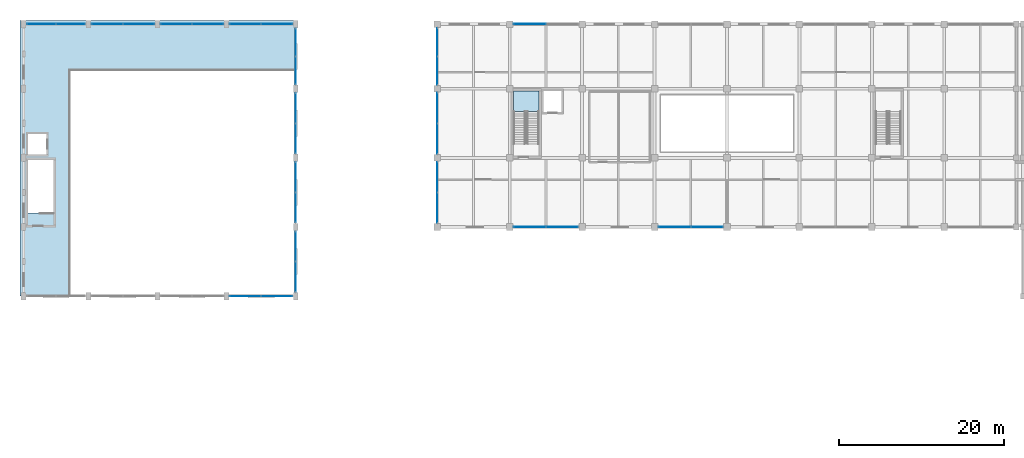
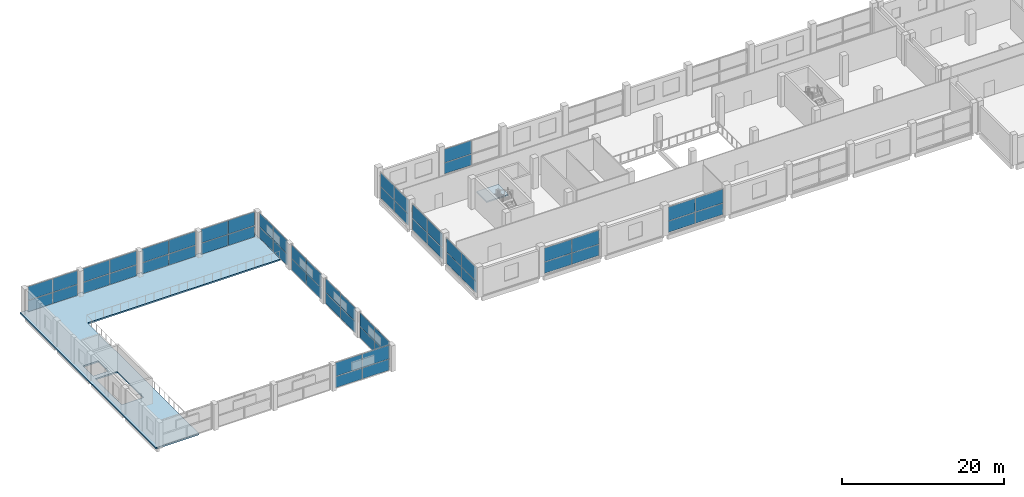
# One storey, part 18 of 31: 58 plates, 2 slabs, 16 elements without a shape of their own.
"""IFC4 building model written with IfcOpenShell, lengths in metres."""

from ifc_helpers import new_model, si_unit, direction, frame, origin, origin_2d, place, context, subcontext, project, spatial, polyline, rectangle, outline, extrude, material, layer, layer_set, type_object, element, aggregate, save


model = new_model("IFC4")

# Units and contexts
model_context = context("Model", 3, precision=1e-05, world=origin(), true_north=direction((0.0, 1.0)))
body_context = subcontext(model_context, "Body", "Model", "MODEL_VIEW")
ifc_project = project(units=[si_unit("LENGTHUNIT", "METRE"), si_unit("AREAUNIT", "SQUARE_METRE"), si_unit("VOLUMEUNIT", "CUBIC_METRE"), si_unit("PLANEANGLEUNIT", "RADIAN"), si_unit("MASSUNIT", "GRAM", prefix="KILO")], contexts=[model_context])

# Site, building, storey
site_placement = place(None, origin())
site = spatial("IfcSite", under=ifc_project, at=site_placement, CompositionType="ELEMENT")
building_placement = place(site_placement, origin())
building = spatial("IfcBuilding", under=site, at=building_placement, Name="Brinegate Botanical Conservatory", CompositionType="ELEMENT")
storey_placement = place(building_placement, frame((0.0, 0.0, 5.39990234375)))
storey = spatial("IfcBuildingStorey", under=building, at=storey_placement, Name="L02", CompositionType="ELEMENT", Elevation=5.39990234375)

# Curtain wall, plates
ifc_material_1 = material(Name="Thermally broken anodised aluminium AW-6063-T6", Category="aluminium")
curtain_wall_type_1 = type_object("IfcCurtainWallType", Name="CW_CW-V3", PredefinedType="USERDEFINED", material=ifc_material_1)
curtain_wall_1_placement = place(storey_placement, origin())
curtain_wall_1 = element("IfcCurtainWall", 1, at=curtain_wall_1_placement, inside=storey, type_object=curtain_wall_type_1, Name="Visitor north factory curtain wall L02.2", ObjectType="FACTORY CURTAIN WALL", PredefinedType="USERDEFINED")
ifc_material_2 = material(Name="Double-silver Low-E laminated safety glass", Category="glass")
ifc_layer_1 = layer(ifc_material_2, 0.028076171875, Name="Double-silver Low-E laminated safety glass", Category="glass")
ifc_layer_set_1 = layer_set([ifc_layer_1], Name="Double-silver Low-E laminated safety glass")
plate_type_1 = type_object("IfcPlateType", Name="Plate_PN-28", PredefinedType="CURTAIN_PANEL", material=ifc_layer_set_1)
plate_1_placement = place(storey_placement, frame((62.0361328125, 111.449951171875, 0.065185546875), z_axis=(0.0, 0.0, 1.0), x_axis=(1.0, 0.0, 0.0)))
plate_1 = element("IfcPlate", 2, at=plate_1_placement, type_object=plate_type_1, Name="CW-V3 panel 1.1", PredefinedType="CURTAIN_PANEL", context=body_context, shape_type="SweptSolid", body=[
    extrude(rectangle(XDim=3.862548828125, YDim=0.028076171875, at=origin_2d()), origin(), (0.0, 0.0, 1.0), 1.62548828125),
])
plate_2_placement = place(storey_placement, frame((62.0361328125, 111.449951171875, 1.75537109375), z_axis=(0.0, 0.0, 1.0), x_axis=(1.0, 0.0, 0.0)))
plate_2 = element("IfcPlate", 3, at=plate_2_placement, type_object=plate_type_1, Name="CW-V3 panel 1.2", PredefinedType="CURTAIN_PANEL", context=body_context, shape_type="SweptSolid", body=[
    extrude(rectangle(XDim=3.862548828125, YDim=0.028076171875, at=origin_2d()), origin(), (0.0, 0.0, 1.0), 2.009521484375),
])
aggregate(curtain_wall_1, [plate_1, plate_2])

curtain_wall_2_placement = place(storey_placement, origin())
curtain_wall_2 = element("IfcCurtainWall", 4, at=curtain_wall_2_placement, inside=storey, type_object=curtain_wall_type_1, Name="Visitor south court curtain wall L02.2", ObjectType="FACTORY CURTAIN WALL", PredefinedType="USERDEFINED")
plate_3_placement = place(storey_placement, frame((65.9638671875, 86.800048828125, 0.065185546875), z_axis=(0.0, 0.0, 1.0), x_axis=(-1.0, 0.0, 0.0)))
plate_3 = element("IfcPlate", 5, at=plate_3_placement, type_object=plate_type_1, Name="CW-V3 panel 1.1", PredefinedType="CURTAIN_PANEL", context=body_context, shape_type="SweptSolid", body=[
    extrude(rectangle(XDim=3.862548828125, YDim=0.028076171875, at=origin_2d()), origin(), (0.0, 0.0, 1.0), 1.67041015625),
])
plate_4_placement = place(storey_placement, frame((65.9638671875, 86.800048828125, 1.800537109375), z_axis=(0.0, 0.0, 1.0), x_axis=(-1.0, 0.0, 0.0)))
plate_4 = element("IfcPlate", 6, at=plate_4_placement, type_object=plate_type_1, Name="CW-V3 panel 1.2", PredefinedType="CURTAIN_PANEL", context=body_context, shape_type="SweptSolid", body=[
    extrude(rectangle(XDim=3.862548828125, YDim=0.028076171875, at=origin_2d()), origin(), (0.0, 0.0, 1.0), 2.064453125),
])
plate_5_placement = place(storey_placement, frame((62.0361328125, 86.800048828125, 0.065185546875), z_axis=(0.0, 0.0, 1.0), x_axis=(-1.0, 0.0, 0.0)))
plate_5 = element("IfcPlate", 7, at=plate_5_placement, type_object=plate_type_1, Name="CW-V3 panel 2.1", PredefinedType="CURTAIN_PANEL", context=body_context, shape_type="SweptSolid", body=[
    extrude(rectangle(XDim=3.862548828125, YDim=0.028076171875, at=origin_2d()), origin(), (0.0, 0.0, 1.0), 1.67041015625),
])
plate_6_placement = place(storey_placement, frame((62.0361328125, 86.800048828125, 1.800537109375), z_axis=(0.0, 0.0, 1.0), x_axis=(-1.0, 0.0, 0.0)))
plate_6 = element("IfcPlate", 8, at=plate_6_placement, type_object=plate_type_1, Name="CW-V3 panel 2.2", PredefinedType="CURTAIN_PANEL", context=body_context, shape_type="SweptSolid", body=[
    extrude(rectangle(XDim=3.862548828125, YDim=0.028076171875, at=origin_2d()), origin(), (0.0, 0.0, 1.0), 2.064453125),
])
aggregate(curtain_wall_2, [plate_3, plate_4, plate_5, plate_6])

curtain_wall_3_placement = place(storey_placement, origin())
curtain_wall_3 = element("IfcCurtainWall", 9, at=curtain_wall_3_placement, inside=storey, type_object=curtain_wall_type_1, Name="Visitor south court curtain wall L02.4", ObjectType="FACTORY CURTAIN WALL", PredefinedType="USERDEFINED")
plate_7_placement = place(storey_placement, frame((83.563720703125, 86.800048828125, 0.065185546875), z_axis=(0.0, 0.0, 1.0), x_axis=(-1.0, 0.0, 0.0)))
plate_7 = element("IfcPlate", 10, at=plate_7_placement, type_object=plate_type_1, Name="CW-V3 panel 1.1", PredefinedType="CURTAIN_PANEL", context=body_context, shape_type="SweptSolid", body=[
    extrude(rectangle(XDim=3.862548828125, YDim=0.028076171875, at=origin_2d()), origin(), (0.0, 0.0, 1.0), 1.67041015625),
])
plate_8_placement = place(storey_placement, frame((83.563720703125, 86.800048828125, 1.800537109375), z_axis=(0.0, 0.0, 1.0), x_axis=(-1.0, 0.0, 0.0)))
plate_8 = element("IfcPlate", 11, at=plate_8_placement, type_object=plate_type_1, Name="CW-V3 panel 1.2", PredefinedType="CURTAIN_PANEL", context=body_context, shape_type="SweptSolid", body=[
    extrude(rectangle(XDim=3.862548828125, YDim=0.028076171875, at=origin_2d()), origin(), (0.0, 0.0, 1.0), 2.064453125),
])
plate_9_placement = place(storey_placement, frame((79.63623046875, 86.800048828125, 0.065185546875), z_axis=(0.0, 0.0, 1.0), x_axis=(-1.0, 0.0, 0.0)))
plate_9 = element("IfcPlate", 12, at=plate_9_placement, type_object=plate_type_1, Name="CW-V3 panel 2.1", PredefinedType="CURTAIN_PANEL", context=body_context, shape_type="SweptSolid", body=[
    extrude(rectangle(XDim=3.862548828125, YDim=0.028076171875, at=origin_2d()), origin(), (0.0, 0.0, 1.0), 1.67041015625),
])
plate_10_placement = place(storey_placement, frame((79.63623046875, 86.800048828125, 1.800537109375), z_axis=(0.0, 0.0, 1.0), x_axis=(-1.0, 0.0, 0.0)))
plate_10 = element("IfcPlate", 13, at=plate_10_placement, type_object=plate_type_1, Name="CW-V3 panel 2.2", PredefinedType="CURTAIN_PANEL", context=body_context, shape_type="SweptSolid", body=[
    extrude(rectangle(XDim=3.862548828125, YDim=0.028076171875, at=origin_2d()), origin(), (0.0, 0.0, 1.0), 2.064453125),
])
aggregate(curtain_wall_3, [plate_7, plate_8, plate_9, plate_10])

curtain_wall_4_placement = place(storey_placement, origin())
curtain_wall_4 = element("IfcCurtainWall", 14, at=curtain_wall_4_placement, inside=storey, type_object=curtain_wall_type_1, Name="Visitor west forecourt curtain wall L02.1", ObjectType="FACTORY CURTAIN WALL", PredefinedType="USERDEFINED")
plate_11_placement = place(storey_placement, frame((50.800048828125, 89.13623046875, 0.065185546875), z_axis=(0.0, 0.0, 1.0), x_axis=(0.0, 1.0, 0.0)))
plate_11 = element("IfcPlate", 15, at=plate_11_placement, type_object=plate_type_1, Name="CW-V3 panel 1.1", PredefinedType="CURTAIN_PANEL", context=body_context, shape_type="SweptSolid", body=[
    extrude(rectangle(XDim=3.66259765625, YDim=0.028076171875, at=origin_2d()), origin(), (0.0, 0.0, 1.0), 1.67041015625),
])
plate_12_placement = place(storey_placement, frame((50.800048828125, 89.13623046875, 1.800537109375), z_axis=(0.0, 0.0, 1.0), x_axis=(0.0, 1.0, 0.0)))
plate_12 = element("IfcPlate", 16, at=plate_12_placement, type_object=plate_type_1, Name="CW-V3 panel 1.2", PredefinedType="CURTAIN_PANEL", context=body_context, shape_type="SweptSolid", body=[
    extrude(rectangle(XDim=3.66259765625, YDim=0.028076171875, at=origin_2d()), origin(), (0.0, 0.0, 1.0), 2.064453125),
])
plate_13_placement = place(storey_placement, frame((50.800048828125, 92.86376953125, 0.065185546875), z_axis=(0.0, 0.0, 1.0), x_axis=(0.0, 1.0, 0.0)))
plate_13 = element("IfcPlate", 17, at=plate_13_placement, type_object=plate_type_1, Name="CW-V3 panel 2.1", PredefinedType="CURTAIN_PANEL", context=body_context, shape_type="SweptSolid", body=[
    extrude(rectangle(XDim=3.66259765625, YDim=0.028076171875, at=origin_2d()), origin(), (0.0, 0.0, 1.0), 1.67041015625),
])
plate_14_placement = place(storey_placement, frame((50.800048828125, 92.86376953125, 1.800537109375), z_axis=(0.0, 0.0, 1.0), x_axis=(0.0, 1.0, 0.0)))
plate_14 = element("IfcPlate", 18, at=plate_14_placement, type_object=plate_type_1, Name="CW-V3 panel 2.2", PredefinedType="CURTAIN_PANEL", context=body_context, shape_type="SweptSolid", body=[
    extrude(rectangle(XDim=3.66259765625, YDim=0.028076171875, at=origin_2d()), origin(), (0.0, 0.0, 1.0), 2.064453125),
])
aggregate(curtain_wall_4, [plate_11, plate_12, plate_13, plate_14])

curtain_wall_5_placement = place(storey_placement, origin())
curtain_wall_5 = element("IfcCurtainWall", 19, at=curtain_wall_5_placement, inside=storey, type_object=curtain_wall_type_1, Name="Visitor west forecourt curtain wall L02.2", ObjectType="FACTORY CURTAIN WALL", PredefinedType="USERDEFINED")
plate_15_placement = place(storey_placement, frame((50.800048828125, 97.5361328125, 0.065185546875), z_axis=(0.0, 0.0, 1.0), x_axis=(0.0, 1.0, 0.0)))
plate_15 = element("IfcPlate", 20, at=plate_15_placement, type_object=plate_type_1, Name="CW-V3 panel 1.1", PredefinedType="CURTAIN_PANEL", context=body_context, shape_type="SweptSolid", body=[
    extrude(rectangle(XDim=3.66259765625, YDim=0.028076171875, at=origin_2d()), origin(), (0.0, 0.0, 1.0), 1.67041015625),
])
plate_16_placement = place(storey_placement, frame((50.800048828125, 97.5361328125, 1.800537109375), z_axis=(0.0, 0.0, 1.0), x_axis=(0.0, 1.0, 0.0)))
plate_16 = element("IfcPlate", 21, at=plate_16_placement, type_object=plate_type_1, Name="CW-V3 panel 1.2", PredefinedType="CURTAIN_PANEL", context=body_context, shape_type="SweptSolid", body=[
    extrude(rectangle(XDim=3.66259765625, YDim=0.028076171875, at=origin_2d()), origin(), (0.0, 0.0, 1.0), 2.064453125),
])
plate_17_placement = place(storey_placement, frame((50.800048828125, 101.263671875, 0.065185546875), z_axis=(0.0, 0.0, 1.0), x_axis=(0.0, 1.0, 0.0)))
plate_17 = element("IfcPlate", 22, at=plate_17_placement, type_object=plate_type_1, Name="CW-V3 panel 2.1", PredefinedType="CURTAIN_PANEL", context=body_context, shape_type="SweptSolid", body=[
    extrude(rectangle(XDim=3.66259765625, YDim=0.028076171875, at=origin_2d()), origin(), (0.0, 0.0, 1.0), 1.67041015625),
])
plate_18_placement = place(storey_placement, frame((50.800048828125, 101.263671875, 1.800537109375), z_axis=(0.0, 0.0, 1.0), x_axis=(0.0, 1.0, 0.0)))
plate_18 = element("IfcPlate", 23, at=plate_18_placement, type_object=plate_type_1, Name="CW-V3 panel 2.2", PredefinedType="CURTAIN_PANEL", context=body_context, shape_type="SweptSolid", body=[
    extrude(rectangle(XDim=3.66259765625, YDim=0.028076171875, at=origin_2d()), origin(), (0.0, 0.0, 1.0), 2.064453125),
])
aggregate(curtain_wall_5, [plate_15, plate_16, plate_17, plate_18])

curtain_wall_6_placement = place(storey_placement, origin())
curtain_wall_6 = element("IfcCurtainWall", 24, at=curtain_wall_6_placement, inside=storey, type_object=curtain_wall_type_1, Name="Visitor west forecourt curtain wall L02.3", ObjectType="FACTORY CURTAIN WALL", PredefinedType="USERDEFINED")
plate_19_placement = place(storey_placement, frame((50.800048828125, 105.798828125, 0.065185546875), z_axis=(0.0, 0.0, 1.0), x_axis=(0.0, 1.0, 0.0)))
plate_19 = element("IfcPlate", 25, at=plate_19_placement, type_object=plate_type_1, Name="CW-V3 panel 1.1", PredefinedType="CURTAIN_PANEL", context=body_context, shape_type="SweptSolid", body=[
    extrude(rectangle(XDim=3.387451171875, YDim=0.028076171875, at=origin_2d()), origin(), (0.0, 0.0, 1.0), 1.67041015625),
])
plate_20_placement = place(storey_placement, frame((50.800048828125, 105.798828125, 1.800537109375), z_axis=(0.0, 0.0, 1.0), x_axis=(0.0, 1.0, 0.0)))
plate_20 = element("IfcPlate", 26, at=plate_20_placement, type_object=plate_type_1, Name="CW-V3 panel 1.2", PredefinedType="CURTAIN_PANEL", context=body_context, shape_type="SweptSolid", body=[
    extrude(rectangle(XDim=3.387451171875, YDim=0.028076171875, at=origin_2d()), origin(), (0.0, 0.0, 1.0), 2.064453125),
])
plate_21_placement = place(storey_placement, frame((50.800048828125, 109.251220703125, 0.065185546875), z_axis=(0.0, 0.0, 1.0), x_axis=(0.0, 1.0, 0.0)))
plate_21 = element("IfcPlate", 27, at=plate_21_placement, type_object=plate_type_1, Name="CW-V3 panel 2.1", PredefinedType="CURTAIN_PANEL", context=body_context, shape_type="SweptSolid", body=[
    extrude(rectangle(XDim=3.387451171875, YDim=0.028076171875, at=origin_2d()), origin(), (0.0, 0.0, 1.0), 1.67041015625),
])
plate_22_placement = place(storey_placement, frame((50.800048828125, 109.251220703125, 1.800537109375), z_axis=(0.0, 0.0, 1.0), x_axis=(0.0, 1.0, 0.0)))
plate_22 = element("IfcPlate", 28, at=plate_22_placement, type_object=plate_type_1, Name="CW-V3 panel 2.2", PredefinedType="CURTAIN_PANEL", context=body_context, shape_type="SweptSolid", body=[
    extrude(rectangle(XDim=3.387451171875, YDim=0.028076171875, at=origin_2d()), origin(), (0.0, 0.0, 1.0), 2.064453125),
])
aggregate(curtain_wall_6, [plate_19, plate_20, plate_21, plate_22])

curtain_wall_type_2 = type_object("IfcCurtainWallType", Name="CW_CW-V1", PredefinedType="USERDEFINED", material=ifc_material_1)
curtain_wall_7_placement = place(storey_placement, origin())
curtain_wall_7 = element("IfcCurtainWall", 29, at=curtain_wall_7_placement, inside=storey, type_object=curtain_wall_type_2, Name="Conservatory north curtain wall L02.1", ObjectType="FACTORY CURTAIN WALL", PredefinedType="USERDEFINED")
ifc_layer_2 = layer(ifc_material_2, 0.031982421875, Name="Double-silver Low-E laminated safety glass", Category="glass")
ifc_layer_set_2 = layer_set([ifc_layer_2], Name="Double-silver Low-E laminated safety glass")
plate_type_2 = type_object("IfcPlateType", Name="Plate_PN-32", PredefinedType="CURTAIN_PANEL", material=ifc_layer_set_2)
plate_23_placement = place(storey_placement, frame((2.69873046875, 111.449951171875, 0.06494140625), z_axis=(0.0, 0.0, 1.0), x_axis=(1.0, 0.0, 0.0)))
plate_23 = element("IfcPlate", 30, at=plate_23_placement, type_object=plate_type_2, Name="CW-V1 panel 1.1", PredefinedType="CURTAIN_PANEL", context=body_context, shape_type="SweptSolid", body=[
    extrude(rectangle(XDim=3.487548828125, YDim=0.031982421875, at=origin_2d()), origin(), (0.0, 0.0, 1.0), 1.657470703125),
])
plate_24_placement = place(storey_placement, frame((2.69873046875, 111.449951171875, 1.78759765625), z_axis=(0.0, 0.0, 1.0), x_axis=(1.0, 0.0, 0.0)))
plate_24 = element("IfcPlate", 31, at=plate_24_placement, type_object=plate_type_2, Name="CW-V1 panel 1.2", PredefinedType="CURTAIN_PANEL", context=body_context, shape_type="SweptSolid", body=[
    extrude(rectangle(XDim=3.487548828125, YDim=0.031982421875, at=origin_2d()), origin(), (0.0, 0.0, 1.0), 2.047607421875),
])
plate_25_placement = place(storey_placement, frame((6.251220703125, 111.449951171875, 0.06494140625), z_axis=(0.0, 0.0, 1.0), x_axis=(1.0, 0.0, 0.0)))
plate_25 = element("IfcPlate", 32, at=plate_25_placement, type_object=plate_type_2, Name="CW-V1 panel 2.1", PredefinedType="CURTAIN_PANEL", context=body_context, shape_type="SweptSolid", body=[
    extrude(rectangle(XDim=3.487548828125, YDim=0.031982421875, at=origin_2d()), origin(), (0.0, 0.0, 1.0), 1.657470703125),
])
plate_26_placement = place(storey_placement, frame((6.251220703125, 111.449951171875, 1.78759765625), z_axis=(0.0, 0.0, 1.0), x_axis=(1.0, 0.0, 0.0)))
plate_26 = element("IfcPlate", 33, at=plate_26_placement, type_object=plate_type_2, Name="CW-V1 panel 2.2", PredefinedType="CURTAIN_PANEL", context=body_context, shape_type="SweptSolid", body=[
    extrude(rectangle(XDim=3.487548828125, YDim=0.031982421875, at=origin_2d()), origin(), (0.0, 0.0, 1.0), 2.047607421875),
])
aggregate(curtain_wall_7, [plate_23, plate_24, plate_25, plate_26])

curtain_wall_8_placement = place(storey_placement, origin())
curtain_wall_8 = element("IfcCurtainWall", 34, at=curtain_wall_8_placement, inside=storey, type_object=curtain_wall_type_2, Name="Conservatory north curtain wall L02.2", ObjectType="FACTORY CURTAIN WALL", PredefinedType="USERDEFINED")
plate_27_placement = place(storey_placement, frame((10.686279296875, 111.449951171875, 0.06494140625), z_axis=(0.0, 0.0, 1.0), x_axis=(1.0, 0.0, 0.0)))
plate_27 = element("IfcPlate", 35, at=plate_27_placement, type_object=plate_type_2, Name="CW-V1 panel 1.1", PredefinedType="CURTAIN_PANEL", context=body_context, shape_type="SweptSolid", body=[
    extrude(rectangle(XDim=3.762451171875, YDim=0.031982421875, at=origin_2d()), origin(), (0.0, 0.0, 1.0), 1.657470703125),
])
plate_28_placement = place(storey_placement, frame((10.686279296875, 111.449951171875, 1.78759765625), z_axis=(0.0, 0.0, 1.0), x_axis=(1.0, 0.0, 0.0)))
plate_28 = element("IfcPlate", 36, at=plate_28_placement, type_object=plate_type_2, Name="CW-V1 panel 1.2", PredefinedType="CURTAIN_PANEL", context=body_context, shape_type="SweptSolid", body=[
    extrude(rectangle(XDim=3.762451171875, YDim=0.031982421875, at=origin_2d()), origin(), (0.0, 0.0, 1.0), 2.047607421875),
])
plate_29_placement = place(storey_placement, frame((14.513671875, 111.449951171875, 0.06494140625), z_axis=(0.0, 0.0, 1.0), x_axis=(1.0, 0.0, 0.0)))
plate_29 = element("IfcPlate", 37, at=plate_29_placement, type_object=plate_type_2, Name="CW-V1 panel 2.1", PredefinedType="CURTAIN_PANEL", context=body_context, shape_type="SweptSolid", body=[
    extrude(rectangle(XDim=3.762451171875, YDim=0.031982421875, at=origin_2d()), origin(), (0.0, 0.0, 1.0), 1.657470703125),
])
plate_30_placement = place(storey_placement, frame((14.513671875, 111.449951171875, 1.78759765625), z_axis=(0.0, 0.0, 1.0), x_axis=(1.0, 0.0, 0.0)))
plate_30 = element("IfcPlate", 38, at=plate_30_placement, type_object=plate_type_2, Name="CW-V1 panel 2.2", PredefinedType="CURTAIN_PANEL", context=body_context, shape_type="SweptSolid", body=[
    extrude(rectangle(XDim=3.762451171875, YDim=0.031982421875, at=origin_2d()), origin(), (0.0, 0.0, 1.0), 2.047607421875),
])
aggregate(curtain_wall_8, [plate_27, plate_28, plate_29, plate_30])

curtain_wall_9_placement = place(storey_placement, origin())
curtain_wall_9 = element("IfcCurtainWall", 39, at=curtain_wall_9_placement, inside=storey, type_object=curtain_wall_type_2, Name="Conservatory north curtain wall L02.3", ObjectType="FACTORY CURTAIN WALL", PredefinedType="USERDEFINED")
plate_31_placement = place(storey_placement, frame((19.086181640625, 111.449951171875, 0.06494140625), z_axis=(0.0, 0.0, 1.0), x_axis=(1.0, 0.0, 0.0)))
plate_31 = element("IfcPlate", 40, at=plate_31_placement, type_object=plate_type_2, Name="CW-V1 panel 1.1", PredefinedType="CURTAIN_PANEL", context=body_context, shape_type="SweptSolid", body=[
    extrude(rectangle(XDim=3.762451171875, YDim=0.031982421875, at=origin_2d()), origin(), (0.0, 0.0, 1.0), 1.657470703125),
])
plate_32_placement = place(storey_placement, frame((19.086181640625, 111.449951171875, 1.78759765625), z_axis=(0.0, 0.0, 1.0), x_axis=(1.0, 0.0, 0.0)))
plate_32 = element("IfcPlate", 41, at=plate_32_placement, type_object=plate_type_2, Name="CW-V1 panel 1.2", PredefinedType="CURTAIN_PANEL", context=body_context, shape_type="SweptSolid", body=[
    extrude(rectangle(XDim=3.762451171875, YDim=0.031982421875, at=origin_2d()), origin(), (0.0, 0.0, 1.0), 2.047607421875),
])
plate_33_placement = place(storey_placement, frame((22.913818359375, 111.449951171875, 0.06494140625), z_axis=(0.0, 0.0, 1.0), x_axis=(1.0, 0.0, 0.0)))
plate_33 = element("IfcPlate", 42, at=plate_33_placement, type_object=plate_type_2, Name="CW-V1 panel 2.1", PredefinedType="CURTAIN_PANEL", context=body_context, shape_type="SweptSolid", body=[
    extrude(rectangle(XDim=3.762451171875, YDim=0.031982421875, at=origin_2d()), origin(), (0.0, 0.0, 1.0), 1.657470703125),
])
plate_34_placement = place(storey_placement, frame((22.913818359375, 111.449951171875, 1.78759765625), z_axis=(0.0, 0.0, 1.0), x_axis=(1.0, 0.0, 0.0)))
plate_34 = element("IfcPlate", 43, at=plate_34_placement, type_object=plate_type_2, Name="CW-V1 panel 2.2", PredefinedType="CURTAIN_PANEL", context=body_context, shape_type="SweptSolid", body=[
    extrude(rectangle(XDim=3.762451171875, YDim=0.031982421875, at=origin_2d()), origin(), (0.0, 0.0, 1.0), 2.047607421875),
])
aggregate(curtain_wall_9, [plate_31, plate_32, plate_33, plate_34])

curtain_wall_10_placement = place(storey_placement, origin())
curtain_wall_10 = element("IfcCurtainWall", 44, at=curtain_wall_10_placement, inside=storey, type_object=curtain_wall_type_2, Name="Conservatory north curtain wall L02.4", ObjectType="FACTORY CURTAIN WALL", PredefinedType="USERDEFINED")
plate_35_placement = place(storey_placement, frame((27.486328125, 111.449951171875, 0.06494140625), z_axis=(0.0, 0.0, 1.0), x_axis=(1.0, 0.0, 0.0)))
plate_35 = element("IfcPlate", 45, at=plate_35_placement, type_object=plate_type_2, Name="CW-V1 panel 1.1", PredefinedType="CURTAIN_PANEL", context=body_context, shape_type="SweptSolid", body=[
    extrude(rectangle(XDim=3.762451171875, YDim=0.031982421875, at=origin_2d()), origin(), (0.0, 0.0, 1.0), 1.657470703125),
])
plate_36_placement = place(storey_placement, frame((27.486328125, 111.449951171875, 1.78759765625), z_axis=(0.0, 0.0, 1.0), x_axis=(1.0, 0.0, 0.0)))
plate_36 = element("IfcPlate", 46, at=plate_36_placement, type_object=plate_type_2, Name="CW-V1 panel 1.2", PredefinedType="CURTAIN_PANEL", context=body_context, shape_type="SweptSolid", body=[
    extrude(rectangle(XDim=3.762451171875, YDim=0.031982421875, at=origin_2d()), origin(), (0.0, 0.0, 1.0), 2.047607421875),
])
plate_37_placement = place(storey_placement, frame((31.313720703125, 111.449951171875, 0.06494140625), z_axis=(0.0, 0.0, 1.0), x_axis=(1.0, 0.0, 0.0)))
plate_37 = element("IfcPlate", 47, at=plate_37_placement, type_object=plate_type_2, Name="CW-V1 panel 2.1", PredefinedType="CURTAIN_PANEL", context=body_context, shape_type="SweptSolid", body=[
    extrude(rectangle(XDim=3.762451171875, YDim=0.031982421875, at=origin_2d()), origin(), (0.0, 0.0, 1.0), 1.657470703125),
])
plate_38_placement = place(storey_placement, frame((31.313720703125, 111.449951171875, 1.78759765625), z_axis=(0.0, 0.0, 1.0), x_axis=(1.0, 0.0, 0.0)))
plate_38 = element("IfcPlate", 48, at=plate_38_placement, type_object=plate_type_2, Name="CW-V1 panel 2.2", PredefinedType="CURTAIN_PANEL", context=body_context, shape_type="SweptSolid", body=[
    extrude(rectangle(XDim=3.762451171875, YDim=0.031982421875, at=origin_2d()), origin(), (0.0, 0.0, 1.0), 2.047607421875),
])
aggregate(curtain_wall_10, [plate_35, plate_36, plate_37, plate_38])

curtain_wall_11_placement = place(storey_placement, origin())
curtain_wall_11 = element("IfcCurtainWall", 49, at=curtain_wall_11_placement, inside=storey, type_object=curtain_wall_type_2, Name="Conservatory south curtain wall L02.4", ObjectType="FACTORY CURTAIN WALL", PredefinedType="USERDEFINED")
plate_39_placement = place(storey_placement, frame((31.313720703125, 78.39990234375, 0.06494140625), z_axis=(0.0, 0.0, 1.0), x_axis=(-1.0, 0.0, 0.0)))
plate_39 = element("IfcPlate", 50, at=plate_39_placement, type_object=plate_type_2, Name="CW-V1 panel 1.1", PredefinedType="CURTAIN_PANEL", context=body_context, shape_type="SweptSolid", body=[
    extrude(rectangle(XDim=3.762451171875, YDim=0.031982421875, at=origin_2d()), origin(), (0.0, 0.0, 1.0), 1.657470703125),
])
plate_40_placement = place(storey_placement, frame((31.313720703125, 78.39990234375, 1.78759765625), z_axis=(0.0, 0.0, 1.0), x_axis=(-1.0, 0.0, 0.0)))
plate_40 = element("IfcPlate", 51, at=plate_40_placement, type_object=plate_type_2, Name="CW-V1 panel 1.2", PredefinedType="CURTAIN_PANEL", context=body_context, shape_type="SweptSolid", body=[
    extrude(rectangle(XDim=3.762451171875, YDim=0.031982421875, at=origin_2d()), origin(), (0.0, 0.0, 1.0), 2.047607421875),
])
plate_41_placement = place(storey_placement, frame((27.486328125, 78.39990234375, 0.06494140625), z_axis=(0.0, 0.0, 1.0), x_axis=(-1.0, 0.0, 0.0)))
plate_41 = element("IfcPlate", 52, at=plate_41_placement, type_object=plate_type_2, Name="CW-V1 panel 2.1", PredefinedType="CURTAIN_PANEL", context=body_context, shape_type="SweptSolid", body=[
    extrude(rectangle(XDim=3.762451171875, YDim=0.031982421875, at=origin_2d()), origin(), (0.0, 0.0, 1.0), 1.657470703125),
])
plate_42_placement = place(storey_placement, frame((27.486328125, 78.39990234375, 1.78759765625), z_axis=(0.0, 0.0, 1.0), x_axis=(-1.0, 0.0, 0.0)))
plate_42 = element("IfcPlate", 53, at=plate_42_placement, type_object=plate_type_2, Name="CW-V1 panel 2.2", PredefinedType="CURTAIN_PANEL", context=body_context, shape_type="SweptSolid", body=[
    extrude(rectangle(XDim=3.762451171875, YDim=0.031982421875, at=origin_2d()), origin(), (0.0, 0.0, 1.0), 2.047607421875),
])
aggregate(curtain_wall_11, [plate_39, plate_40, plate_41, plate_42])

curtain_wall_12_placement = place(storey_placement, origin())
curtain_wall_12 = element("IfcCurtainWall", 54, at=curtain_wall_12_placement, inside=storey, type_object=curtain_wall_type_2, Name="Conservatory east curtain wall L02.1", ObjectType="FACTORY CURTAIN WALL", PredefinedType="USERDEFINED")
plate_43_placement = place(storey_placement, frame((33.60009765625, 84.438720703125, 0.06494140625), z_axis=(0.0, 0.0, 1.0), x_axis=(0.0, -1.0, 0.0)))
plate_43 = element("IfcPlate", 55, at=plate_43_placement, type_object=plate_type_2, Name="CW-V1 panel 1.1", PredefinedType="CURTAIN_PANEL", context=body_context, shape_type="SweptSolid", body=[
    extrude(rectangle(XDim=3.612548828125, YDim=0.031982421875, at=origin_2d()), origin(), (0.0, 0.0, 1.0), 1.657470703125),
])
plate_44_placement = place(storey_placement, frame((33.60009765625, 84.438720703125, 1.78759765625), z_axis=(0.0, 0.0, 1.0), x_axis=(0.0, -1.0, 0.0)))
plate_44 = element("IfcPlate", 56, at=plate_44_placement, type_object=plate_type_2, Name="CW-V1 panel 1.2", PredefinedType="CURTAIN_PANEL", context=body_context, shape_type="SweptSolid", body=[
    extrude(rectangle(XDim=3.612548828125, YDim=0.031982421875, at=origin_2d()), origin(), (0.0, 0.0, 1.0), 2.047607421875),
])
plate_45_placement = place(storey_placement, frame((33.60009765625, 80.76123046875, 0.06494140625), z_axis=(0.0, 0.0, 1.0), x_axis=(0.0, -1.0, 0.0)))
plate_45 = element("IfcPlate", 57, at=plate_45_placement, type_object=plate_type_2, Name="CW-V1 panel 2.1", PredefinedType="CURTAIN_PANEL", context=body_context, shape_type="SweptSolid", body=[
    extrude(rectangle(XDim=3.612548828125, YDim=0.031982421875, at=origin_2d()), origin(), (0.0, 0.0, 1.0), 1.657470703125),
])
plate_46_placement = place(storey_placement, frame((33.60009765625, 80.76123046875, 1.78759765625), z_axis=(0.0, 0.0, 1.0), x_axis=(0.0, -1.0, 0.0)))
plate_46 = element("IfcPlate", 58, at=plate_46_placement, type_object=plate_type_2, Name="CW-V1 panel 2.2", PredefinedType="CURTAIN_PANEL", context=body_context, shape_type="SweptSolid", body=[
    extrude(rectangle(XDim=3.612548828125, YDim=0.031982421875, at=origin_2d()), origin(), (0.0, 0.0, 1.0), 2.047607421875),
])
aggregate(curtain_wall_12, [plate_43, plate_44, plate_45, plate_46])

curtain_wall_13_placement = place(storey_placement, origin())
curtain_wall_13 = element("IfcCurtainWall", 59, at=curtain_wall_13_placement, inside=storey, type_object=curtain_wall_type_2, Name="Conservatory east curtain wall L02.2", ObjectType="FACTORY CURTAIN WALL", PredefinedType="USERDEFINED")
plate_47_placement = place(storey_placement, frame((33.60009765625, 92.8388671875, 0.06494140625), z_axis=(0.0, 0.0, 1.0), x_axis=(0.0, -1.0, 0.0)))
plate_47 = element("IfcPlate", 60, at=plate_47_placement, type_object=plate_type_2, Name="CW-V1 panel 1.1", PredefinedType="CURTAIN_PANEL", context=body_context, shape_type="SweptSolid", body=[
    extrude(rectangle(XDim=3.612548828125, YDim=0.031982421875, at=origin_2d()), origin(), (0.0, 0.0, 1.0), 1.657470703125),
])
plate_48_placement = place(storey_placement, frame((33.60009765625, 92.8388671875, 1.78759765625), z_axis=(0.0, 0.0, 1.0), x_axis=(0.0, -1.0, 0.0)))
plate_48 = element("IfcPlate", 61, at=plate_48_placement, type_object=plate_type_2, Name="CW-V1 panel 1.2", PredefinedType="CURTAIN_PANEL", context=body_context, shape_type="SweptSolid", body=[
    extrude(rectangle(XDim=3.612548828125, YDim=0.031982421875, at=origin_2d()), origin(), (0.0, 0.0, 1.0), 2.047607421875),
])
plate_49_placement = place(storey_placement, frame((33.60009765625, 89.1611328125, 0.06494140625), z_axis=(0.0, 0.0, 1.0), x_axis=(0.0, -1.0, 0.0)))
plate_49 = element("IfcPlate", 62, at=plate_49_placement, type_object=plate_type_2, Name="CW-V1 panel 2.1", PredefinedType="CURTAIN_PANEL", context=body_context, shape_type="SweptSolid", body=[
    extrude(rectangle(XDim=3.612548828125, YDim=0.031982421875, at=origin_2d()), origin(), (0.0, 0.0, 1.0), 1.657470703125),
])
plate_50_placement = place(storey_placement, frame((33.60009765625, 89.1611328125, 1.78759765625), z_axis=(0.0, 0.0, 1.0), x_axis=(0.0, -1.0, 0.0)))
plate_50 = element("IfcPlate", 63, at=plate_50_placement, type_object=plate_type_2, Name="CW-V1 panel 2.2", PredefinedType="CURTAIN_PANEL", context=body_context, shape_type="SweptSolid", body=[
    extrude(rectangle(XDim=3.612548828125, YDim=0.031982421875, at=origin_2d()), origin(), (0.0, 0.0, 1.0), 2.047607421875),
])
aggregate(curtain_wall_13, [plate_47, plate_48, plate_49, plate_50])

curtain_wall_14_placement = place(storey_placement, origin())
curtain_wall_14 = element("IfcCurtainWall", 64, at=curtain_wall_14_placement, inside=storey, type_object=curtain_wall_type_2, Name="Conservatory east curtain wall L02.3", ObjectType="FACTORY CURTAIN WALL", PredefinedType="USERDEFINED")
plate_51_placement = place(storey_placement, frame((33.60009765625, 101.23876953125, 0.06494140625), z_axis=(0.0, 0.0, 1.0), x_axis=(0.0, -1.0, 0.0)))
plate_51 = element("IfcPlate", 65, at=plate_51_placement, type_object=plate_type_2, Name="CW-V1 panel 1.1", PredefinedType="CURTAIN_PANEL", context=body_context, shape_type="SweptSolid", body=[
    extrude(rectangle(XDim=3.612548828125, YDim=0.031982421875, at=origin_2d()), origin(), (0.0, 0.0, 1.0), 1.657470703125),
])
plate_52_placement = place(storey_placement, frame((33.60009765625, 101.23876953125, 1.78759765625), z_axis=(0.0, 0.0, 1.0), x_axis=(0.0, -1.0, 0.0)))
plate_52 = element("IfcPlate", 66, at=plate_52_placement, type_object=plate_type_2, Name="CW-V1 panel 1.2", PredefinedType="CURTAIN_PANEL", context=body_context, shape_type="SweptSolid", body=[
    extrude(rectangle(XDim=3.612548828125, YDim=0.031982421875, at=origin_2d()), origin(), (0.0, 0.0, 1.0), 2.047607421875),
])
plate_53_placement = place(storey_placement, frame((33.60009765625, 97.561279296875, 0.06494140625), z_axis=(0.0, 0.0, 1.0), x_axis=(0.0, -1.0, 0.0)))
plate_53 = element("IfcPlate", 67, at=plate_53_placement, type_object=plate_type_2, Name="CW-V1 panel 2.1", PredefinedType="CURTAIN_PANEL", context=body_context, shape_type="SweptSolid", body=[
    extrude(rectangle(XDim=3.612548828125, YDim=0.031982421875, at=origin_2d()), origin(), (0.0, 0.0, 1.0), 1.657470703125),
])
plate_54_placement = place(storey_placement, frame((33.60009765625, 97.561279296875, 1.78759765625), z_axis=(0.0, 0.0, 1.0), x_axis=(0.0, -1.0, 0.0)))
plate_54 = element("IfcPlate", 68, at=plate_54_placement, type_object=plate_type_2, Name="CW-V1 panel 2.2", PredefinedType="CURTAIN_PANEL", context=body_context, shape_type="SweptSolid", body=[
    extrude(rectangle(XDim=3.612548828125, YDim=0.031982421875, at=origin_2d()), origin(), (0.0, 0.0, 1.0), 2.047607421875),
])
aggregate(curtain_wall_14, [plate_51, plate_52, plate_53, plate_54])

curtain_wall_15_placement = place(storey_placement, origin())
curtain_wall_15 = element("IfcCurtainWall", 69, at=curtain_wall_15_placement, inside=storey, type_object=curtain_wall_type_2, Name="Conservatory east curtain wall L02.4", ObjectType="FACTORY CURTAIN WALL", PredefinedType="USERDEFINED")
plate_55_placement = place(storey_placement, frame((33.60009765625, 109.226318359375, 0.06494140625), z_axis=(0.0, 0.0, 1.0), x_axis=(0.0, -1.0, 0.0)))
plate_55 = element("IfcPlate", 70, at=plate_55_placement, type_object=plate_type_2, Name="CW-V1 panel 1.1", PredefinedType="CURTAIN_PANEL", context=body_context, shape_type="SweptSolid", body=[
    extrude(rectangle(XDim=3.33740234375, YDim=0.031982421875, at=origin_2d()), origin(), (0.0, 0.0, 1.0), 1.657470703125),
])
plate_56_placement = place(storey_placement, frame((33.60009765625, 109.226318359375, 1.78759765625), z_axis=(0.0, 0.0, 1.0), x_axis=(0.0, -1.0, 0.0)))
plate_56 = element("IfcPlate", 71, at=plate_56_placement, type_object=plate_type_2, Name="CW-V1 panel 1.2", PredefinedType="CURTAIN_PANEL", context=body_context, shape_type="SweptSolid", body=[
    extrude(rectangle(XDim=3.33740234375, YDim=0.031982421875, at=origin_2d()), origin(), (0.0, 0.0, 1.0), 2.047607421875),
])
plate_57_placement = place(storey_placement, frame((33.60009765625, 105.82373046875, 0.06494140625), z_axis=(0.0, 0.0, 1.0), x_axis=(0.0, -1.0, 0.0)))
plate_57 = element("IfcPlate", 72, at=plate_57_placement, type_object=plate_type_2, Name="CW-V1 panel 2.1", PredefinedType="CURTAIN_PANEL", context=body_context, shape_type="SweptSolid", body=[
    extrude(rectangle(XDim=3.33740234375, YDim=0.031982421875, at=origin_2d()), origin(), (0.0, 0.0, 1.0), 1.657470703125),
])
plate_58_placement = place(storey_placement, frame((33.60009765625, 105.82373046875, 1.78759765625), z_axis=(0.0, 0.0, 1.0), x_axis=(0.0, -1.0, 0.0)))
plate_58 = element("IfcPlate", 73, at=plate_58_placement, type_object=plate_type_2, Name="CW-V1 panel 2.2", PredefinedType="CURTAIN_PANEL", context=body_context, shape_type="SweptSolid", body=[
    extrude(rectangle(XDim=3.33740234375, YDim=0.031982421875, at=origin_2d()), origin(), (0.0, 0.0, 1.0), 2.047607421875),
])
aggregate(curtain_wall_15, [plate_55, plate_56, plate_57, plate_58])

# Slab
ifc_material_3 = material(Name="Concrete C40/50", Category="concrete")
ifc_layer_3 = layer(ifc_material_3, 0.219970703125, Name="Concrete C40/50", Category="concrete")
ifc_layer_set_3 = layer_set([ifc_layer_3], Name="Concrete C40/50")
slab_type_1 = type_object("IfcSlabType", Name="Slab_SL-FL220", PredefinedType="FLOOR", material=ifc_layer_set_3)
slab_1_placement = place(storey_placement, frame((0.0, 0.0, -0.219970703125)))
element("IfcSlab", 74, at=slab_1_placement, inside=storey, type_object=slab_type_1, Name="Conservatory L02 canopy viewing gallery slab", PredefinedType="FLOOR", context=body_context, shape_type="SweptSolid", body=[
    extrude(outline(polyline([(0.10009765625, 78.39990234375), (6.199951171875, 78.39990234375), (6.199951171875, 105.800048828125), (33.60009765625, 105.800048828125), (33.60009765625, 111.89990234375), (0.10009765625, 111.89990234375), (0.10009765625, 78.39990234375)]), holes=[polyline([(4.14990234375, 88.5), (4.14990234375, 94.949951171875), (1.050048828125, 94.949951171875), (1.050048828125, 88.5), (4.14990234375, 88.5)]), polyline([(1.10009765625, 95.60009765625), (3.300048828125, 95.60009765625), (3.300048828125, 98.10009765625), (1.10009765625, 98.10009765625), (1.10009765625, 95.60009765625)])]), origin(), (0.0, 0.0, 1.0), 0.219970703125),
])

# Stair, slab
stair_type = type_object("IfcStairType", Name="Stair_HT-4800", PredefinedType="HALF_TURN_STAIR", material=ifc_material_3)
stair_placement = place(storey_placement, origin())
stair = element("IfcStair", 75, at=stair_placement, inside=storey, type_object=stair_type, Name="L02 Visitor Wing West Smoke-Proof Stair ST3", PredefinedType="HALF_TURN_STAIR")
ifc_layer_4 = layer(ifc_material_3, 0.199951171875, Name="Concrete C40/50", Category="concrete")
ifc_layer_set_4 = layer_set([ifc_layer_4], Name="Concrete C40/50")
slab_type_2 = type_object("IfcSlabType", Name="Slab_SL-LD200", PredefinedType="LANDING", material=ifc_layer_set_4)
slab_2_placement = place(storey_placement, frame((0.0, 0.0, 2.2001953125)))
slab_2 = element("IfcSlab", 76, at=slab_2_placement, type_object=slab_type_2, Name="ST3 landing 1", PredefinedType="LANDING", context=body_context, shape_type="SweptSolid", body=[
    extrude(outline(polyline([(63.14990234375, 100.820068359375), (63.14990234375, 103.35009765625), (60.050048828125, 103.35009765625), (60.050048828125, 100.820068359375), (63.14990234375, 100.820068359375)])), origin(), (0.0, 0.0, 1.0), 0.199951171875),
])
aggregate(stair, [slab_2])

save(model, "model.ifc")
